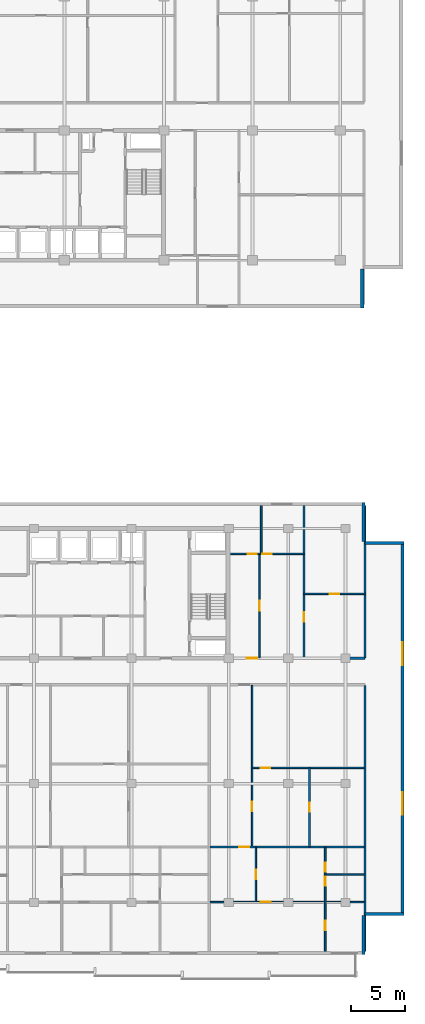
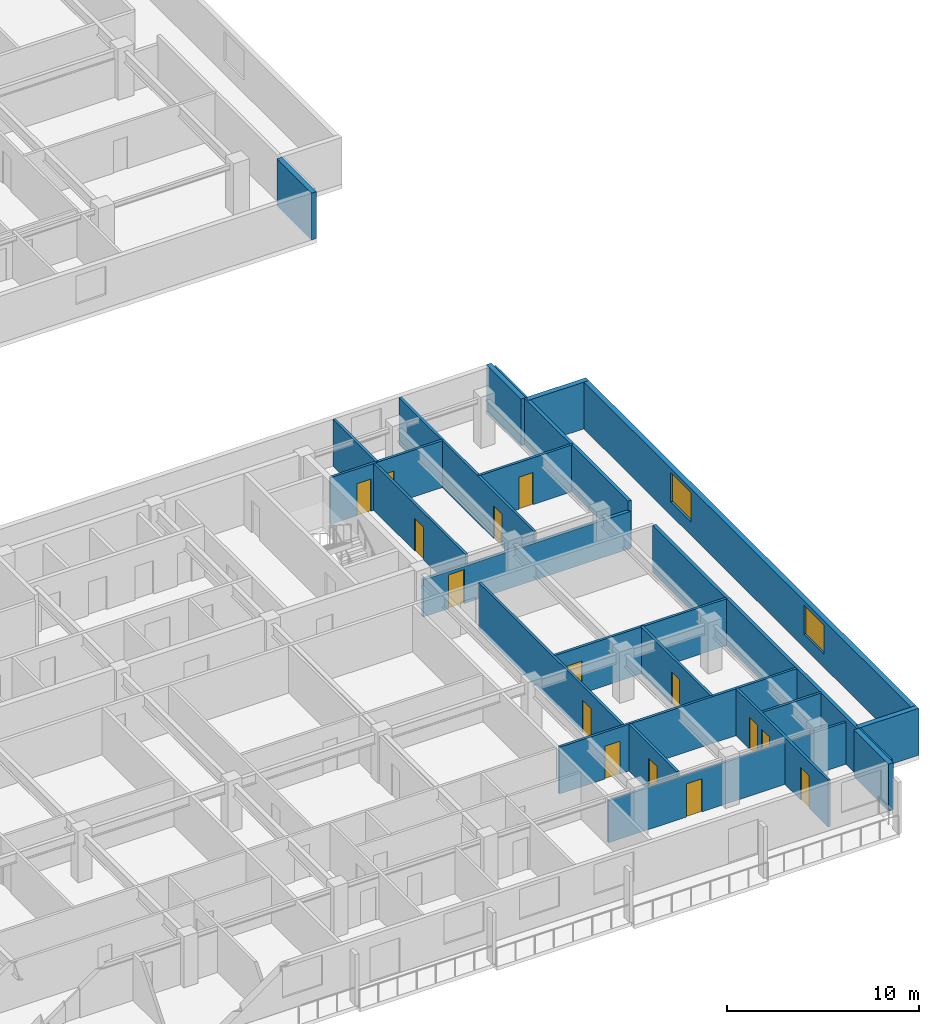
# One storey, part 10 of 22: 22 walls, 15 doors, 2 windows, 17 openings.
"""IFC4 building model written with IfcOpenShell, lengths in metres."""

from ifc_helpers import new_model, si_unit, direction, frame, frame_2d, origin, place, context, subcontext, project, spatial, rectangle, extrude, material, layer, layer_set, type_object, element, fill, save


model = new_model("IFC4")

# Units and contexts
model_context = context("Model", 3, precision=1e-05, world=origin(), true_north=direction((0.0, 1.0)))
body_context = subcontext(model_context, "Body", "Model", "MODEL_VIEW")
ifc_project = project(units=[si_unit("LENGTHUNIT", "METRE"), si_unit("AREAUNIT", "SQUARE_METRE"), si_unit("VOLUMEUNIT", "CUBIC_METRE"), si_unit("PLANEANGLEUNIT", "RADIAN"), si_unit("MASSUNIT", "GRAM", prefix="KILO")], contexts=[model_context])

# Site, building, storey
site_placement = place(None, origin())
site = spatial("IfcSite", under=ifc_project, at=site_placement, CompositionType="ELEMENT")
building_placement = place(site_placement, origin())
building = spatial("IfcBuilding", under=site, at=building_placement, Name="Korimba Cascade Residences", CompositionType="ELEMENT")
storey_placement = place(building_placement, frame((0.0, 0.0, 132.800048828125)))
storey = spatial("IfcBuildingStorey", under=building, at=storey_placement, Name="L38", CompositionType="ELEMENT", Elevation=132.800048828125)

# Walls
ifc_material_1 = material(Name="Precast concrete C40/50", Category="concrete")
ifc_layer_1 = layer(ifc_material_1, 0.300048828125)
ifc_layer_set_1 = layer_set([ifc_layer_1], Name="Precast concrete C40/50")
wall_type_1 = type_object("IfcWallType", Name="EW-STONE-300", PredefinedType="STANDARD", material=ifc_layer_set_1)
wall_1_placement = place(storey_placement, frame((130.449951171875, 50.800048828125, 0.0), z_axis=(0.0, 0.0, 1.0), x_axis=(0.0, 1.0, 0.0)))
element("IfcWall", 1, at=wall_1_placement, inside=storey, type_object=wall_type_1, Name="L38 T1 Perimeter Stone Wall E01", PredefinedType="STANDARD", context=body_context, shape_type="SweptSolid", body=[
    extrude(rectangle(XDim=3.599853515625, YDim=0.300048828125, at=frame_2d((1.7998046875, 0.0))), origin(), (0.0, 0.0, 1.0), 2.969970703125),
])
for number, where, z_axis, x_axis, name in (
    (2, (130.550048828125, -9.0, 0.0), (0.0, 0.0, 1.0), (0.0, 1.0, 0.0), "L38 T2 Perimeter Stone Wall E01"),
    (3, (130.699951171875, -5.25, 0.0), (0.0, 0.0, 1.0), (1.0, 0.0, 0.0), "L38 T2 Perimeter Stone Wall E02"),
):
    element("IfcWall", number, at=place(storey_placement, frame(where, z_axis=z_axis, x_axis=x_axis)), inside=storey, type_object=wall_type_1, Name=name, PredefinedType="STANDARD", context=body_context, shape_type="SweptSolid", body=[
        extrude(rectangle(XDim=3.60009765625, YDim=0.300048828125, at=frame_2d((1.800048828125, 0.0))), origin(), (0.0, 0.0, 1.0), 2.969970703125),
    ])

# Wall, openings, windows
wall_2_placement = place(storey_placement, frame((134.14990234375, -5.39990234375, 0.0), z_axis=(0.0, 0.0, 1.0), x_axis=(0.0, 1.0, 0.0)))
wall_2 = element("IfcWall", 4, at=wall_2_placement, inside=storey, type_object=wall_type_1, Name="L38 T2 Perimeter Stone Wall E03", PredefinedType="STANDARD", context=body_context, shape_type="SweptSolid", body=[
    extrude(rectangle(XDim=34.599853515625, YDim=0.300048828125, at=frame_2d((17.2998046875, 0.0))), origin(), (0.0, 0.0, 1.0), 2.969970703125),
])
opening_1_placement = place(wall_2_placement, frame((9.330078125, 0.0, 0.85009765625)))
opening_1 = element("IfcOpeningElement", 5, at=opening_1_placement, cuts=wall_2, Name="Opening W-03", PredefinedType="OPENING", context=body_context, shape_type="SweptSolid", body=[
    extrude(rectangle(XDim=2.10009765625, YDim=1.85009765625, at=frame_2d((1.050048828125, 0.925048828125))), frame((0.0, 0.16015625, 0.0), z_axis=(0.0, -1.0, 0.0), x_axis=(1.0, 0.0, 0.0)), (0.0, 0.0, 1.0), 0.320068359375),
])
opening_2_placement = place(wall_2_placement, frame((23.169921875, 0.0, 0.85009765625)))
opening_2 = element("IfcOpeningElement", 6, at=opening_2_placement, cuts=wall_2, Name="Opening W-03", PredefinedType="OPENING", context=body_context, shape_type="SweptSolid", body=[
    extrude(rectangle(XDim=2.10009765625, YDim=1.85009765625, at=frame_2d((1.050048828125, 0.925048828125))), frame((0.0, 0.16015625, 0.0), z_axis=(0.0, -1.0, 0.0), x_axis=(1.0, 0.0, 0.0)), (0.0, 0.0, 1.0), 0.320068359375),
])
ifc_material_2 = material(Name="Double-Glazed Aluminium Window", Category="aluminium")
window_type = type_object("IfcWindowType", Name="WIN-CRN-2100", PartitioningType="DOUBLE_PANEL_HORIZONTAL", PredefinedType="WINDOW", material=ifc_material_2)
window_1_placement = place(opening_1_placement, origin())
window_1 = element("IfcWindow", 7, at=window_1_placement, inside=storey, type_object=window_type, Name="L38 T2 End View Window 3.1", OverallHeight=1.85009765625, OverallWidth=2.10009765625, PartitioningType="DOUBLE_PANEL_HORIZONTAL", PredefinedType="WINDOW", context=body_context, shape_type="SweptSolid", body=[
    extrude(rectangle(XDim=2.10009765625, YDim=1.85009765625, at=frame_2d((1.050048828125, 0.925048828125))), frame((0.0, 0.030029296875, 0.0), z_axis=(0.0, -1.0, 0.0), x_axis=(1.0, 0.0, 0.0)), (0.0, 0.0, 1.0), 0.06005859375),
])
fill(opening_1, window_1)
window_2_placement = place(opening_2_placement, origin())
window_2 = element("IfcWindow", 8, at=window_2_placement, inside=storey, type_object=window_type, Name="L38 T2 End View Window 3.2", OverallHeight=1.85009765625, OverallWidth=2.10009765625, PartitioningType="DOUBLE_PANEL_HORIZONTAL", PredefinedType="WINDOW", context=body_context, shape_type="SweptSolid", body=[
    extrude(rectangle(XDim=2.10009765625, YDim=1.85009765625, at=frame_2d((1.050048828125, 0.925048828125))), frame((0.0, 0.030029296875, 0.0), z_axis=(0.0, -1.0, 0.0), x_axis=(1.0, 0.0, 0.0)), (0.0, 0.0, 1.0), 0.06005859375),
])
fill(opening_2, window_2)

# Walls
for number, where, z_axis, x_axis, name in (
    (9, (134.300048828125, 29.050048828125, 0.0), (0.0, 0.0, 1.0), (-1.0, 0.0, 0.0), "L38 T2 Perimeter Stone Wall E04"),
    (10, (130.550048828125, 29.199951171875, 0.0), (0.0, 0.0, 1.0), (0.0, 1.0, 0.0), "L38 T2 Perimeter Stone Wall E05"),
):
    element("IfcWall", number, at=place(storey_placement, frame(where, z_axis=z_axis, x_axis=x_axis)), inside=storey, type_object=wall_type_1, Name=name, PredefinedType="STANDARD", context=body_context, shape_type="SweptSolid", body=[
        extrude(rectangle(XDim=3.60009765625, YDim=0.300048828125, at=frame_2d((1.800048828125, 0.0))), origin(), (0.0, 0.0, 1.0), 2.969970703125),
    ])
ifc_layer_2 = layer(ifc_material_1, 0.199951171875)
ifc_layer_set_2 = layer_set([ifc_layer_2], Name="Precast concrete C40/50")
wall_type_2 = type_object("IfcWallType", Name="WAL-IT-200", PredefinedType="PARTITIONING", material=ifc_layer_set_2)
wall_3_placement = place(storey_placement, frame((130.699951171875, 18.39990234375, 0.0), z_axis=(0.0, 0.0, 1.0), x_axis=(0.0, 1.0, 0.0)))
element("IfcWall", 11, at=wall_3_placement, inside=storey, type_object=wall_type_2, Name="L38 Partition Wall WAL-L38-T2-FE-WR", PredefinedType="PARTITIONING", context=body_context, shape_type="SweptSolid", body=[
    extrude(rectangle(XDim=14.10009765625, YDim=0.199951171875, at=frame_2d((7.050048828125, 0.0))), origin(), (0.0, 0.0, 1.0), 2.969970703125),
])

# Wall, opening, door
wall_4_placement = place(storey_placement, frame((118.25, 18.39990234375, 0.0), z_axis=(0.0, 0.0, 1.0), x_axis=(1.0, 0.0, 0.0)))
wall_4 = element("IfcWall", 12, at=wall_4_placement, inside=storey, type_object=wall_type_2, Name="L38 Partition Wall WAL-L38-T2-FE-S", PredefinedType="PARTITIONING", context=body_context, shape_type="SweptSolid", body=[
    extrude(rectangle(XDim=12.449951171875, YDim=0.199951171875, at=frame_2d((6.22509765625, 0.0))), origin(), (0.0, 0.0, 1.0), 2.357666015625),
])
opening_3_placement = place(wall_4_placement, frame((1.510009765625, 0.0, 0.0)))
opening_3 = element("IfcOpeningElement", 13, at=opening_3_placement, cuts=wall_4, Name="Opening D-UN1", PredefinedType="OPENING", context=body_context, shape_type="SweptSolid", body=[
    extrude(rectangle(XDim=0.949951171875, YDim=2.14990234375, at=frame_2d((0.47509765625, 1.074951171875))), frame((0.0, 0.10986328125, 0.0), z_axis=(0.0, -1.0, 0.0), x_axis=(1.0, 0.0, 0.0)), (0.0, 0.0, 1.0), 0.219970703125),
])
ifc_material_3 = material(Name="Fire-Rated Hardwood Apartment Entrance Door", Category="wood")
door_type_1 = type_object("IfcDoorType", Name="DR-FD60-950", OperationType="NOTDEFINED", PredefinedType="DOOR", material=ifc_material_3)
door_1_placement = place(opening_3_placement, origin())
door_1 = element("IfcDoor", 14, at=door_1_placement, inside=storey, type_object=door_type_1, Name="L38-T2-FE Entrance Door", OperationType="SINGLE_SWING_LEFT", OverallHeight=2.14990234375, OverallWidth=0.949951171875, PredefinedType="DOOR", context=body_context, shape_type="SweptSolid", body=[
    extrude(rectangle(XDim=0.949951171875, YDim=2.14990234375, at=frame_2d((0.47509765625, 1.074951171875))), frame((0.0, 0.02490234375, 0.0), z_axis=(0.0, -1.0, 0.0), x_axis=(1.0, 0.0, 0.0)), (0.0, 0.0, 1.0), 0.050048828125),
])
fill(opening_3, door_1)

# Wall
wall_5_placement = place(storey_placement, frame((130.699951171875, -8.699951171875, 0.0), z_axis=(0.0, 0.0, 1.0), x_axis=(0.0, 1.0, 0.0)))
element("IfcWall", 15, at=wall_5_placement, inside=storey, type_object=wall_type_2, Name="L38 Partition Wall WAL-L38-T2-BNDWR", PredefinedType="PARTITIONING", context=body_context, shape_type="SweptSolid", body=[
    extrude(rectangle(XDim=24.570068359375, YDim=0.199951171875, at=frame_2d((12.28515625, 0.0))), origin(), (0.0, 0.0, 1.0), 2.969970703125),
])

# Wall, opening, door
ifc_material_4 = material(Name="Insulated Acoustic Stud Partition", Category="gypsum")
ifc_layer_3 = layer(ifc_material_4, 0.14990234375)
ifc_layer_set_3 = layer_set([ifc_layer_3], Name="Insulated Acoustic Stud Partition")
wall_type_3 = type_object("IfcWallType", Name="WAL-PART-150", PredefinedType="PARTITIONING", material=ifc_layer_set_3)
wall_6_placement = place(storey_placement, frame((125.050048828125, 24.35009765625, 0.0), z_axis=(0.0, 0.0, 1.0), x_axis=(1.0, 0.0, 0.0)))
wall_6 = element("IfcWall", 16, at=wall_6_placement, inside=storey, type_object=wall_type_3, Name="L38 Partition Wall WAL-L38-T2-FE-STH", PredefinedType="PARTITIONING", context=body_context, shape_type="SweptSolid", body=[
    extrude(rectangle(XDim=5.64990234375, YDim=0.14990234375, at=frame_2d((2.824951171875, 0.0))), origin(), (0.0, 0.0, 1.0), 2.969970703125),
])
opening_4_placement = place(wall_6_placement, frame((2.405029296875, 0.0, 0.0)))
opening_4 = element("IfcOpeningElement", 17, at=opening_4_placement, cuts=wall_6, Name="Opening D-BT1", PredefinedType="OPENING", context=body_context, shape_type="SweptSolid", body=[
    extrude(rectangle(XDim=0.840087890625, YDim=2.0400390625, at=frame_2d((0.419921875, 1.02001953125))), frame((0.0, 0.0849609375, 0.0), z_axis=(0.0, -1.0, 0.0), x_axis=(1.0, 0.0, 0.0)), (0.0, 0.0, 1.0), 0.169921875),
])
ifc_material_5 = material(Name="Moisture-Resistant Bathroom Timber Door", Category="wood")
door_type_2 = type_object("IfcDoorType", Name="DR-INT-850", OperationType="NOTDEFINED", PredefinedType="DOOR", material=ifc_material_5)
door_2_placement = place(opening_4_placement, origin())
door_2 = element("IfcDoor", 18, at=door_2_placement, inside=storey, type_object=door_type_2, Name="L38-T2-FE Dressing Store Door", OperationType="SINGLE_SWING_RIGHT", OverallHeight=2.0400390625, OverallWidth=0.840087890625, PredefinedType="DOOR", context=body_context, shape_type="SweptSolid", body=[
    extrude(rectangle(XDim=0.840087890625, YDim=2.0400390625, at=frame_2d((0.419921875, 1.02001953125))), frame((0.0, 0.02490234375, 0.0), z_axis=(0.0, -1.0, 0.0), x_axis=(1.0, 0.0, 0.0)), (0.0, 0.0, 1.0), 0.050048828125),
])
fill(opening_4, door_2)

wall_7_placement = place(storey_placement, frame((125.050048828125, 18.449951171875, 0.0), z_axis=(0.0, 0.0, 1.0), x_axis=(0.0, 1.0, 0.0)))
wall_7 = element("IfcWall", 19, at=wall_7_placement, inside=storey, type_object=wall_type_3, Name="L38 Partition Wall WAL-L38-T2-FE-STV", PredefinedType="PARTITIONING", context=body_context, shape_type="SweptSolid", body=[
    extrude(rectangle(XDim=14.050048828125, YDim=0.14990234375, at=frame_2d((7.02490234375, 0.0))), origin(), (0.0, 0.0, 1.0), 2.969970703125),
])
opening_5_placement = place(wall_7_placement, frame((3.320068359375, 0.0, 0.0)))
opening_5 = element("IfcOpeningElement", 20, at=opening_5_placement, cuts=wall_7, Name="Opening D-IN2", PredefinedType="OPENING", context=body_context, shape_type="SweptSolid", body=[
    extrude(rectangle(XDim=0.8798828125, YDim=2.06005859375, at=frame_2d((0.43994140625, 1.030029296875))), frame((0.0, 0.0849609375, 0.0), z_axis=(0.0, -1.0, 0.0), x_axis=(1.0, 0.0, 0.0)), (0.0, 0.0, 1.0), 0.169921875),
])
ifc_material_6 = material(Name="Acoustic Timber Bedroom Door", Category="wood")
door_type_3 = type_object("IfcDoorType", Name="DR-INT-880", OperationType="NOTDEFINED", PredefinedType="DOOR", material=ifc_material_6)
door_3_placement = place(opening_5_placement, origin())
door_3 = element("IfcDoor", 21, at=door_3_placement, inside=storey, type_object=door_type_3, Name="L38-T2-FE Study Door", OperationType="SINGLE_SWING_LEFT", OverallHeight=2.06005859375, OverallWidth=0.8798828125, PredefinedType="DOOR", context=body_context, shape_type="SweptSolid", body=[
    extrude(rectangle(XDim=0.8798828125, YDim=2.06005859375, at=frame_2d((0.43994140625, 1.030029296875))), frame((0.0, 0.02490234375, 0.0), z_axis=(0.0, -1.0, 0.0), x_axis=(1.0, 0.0, 0.0)), (0.0, 0.0, 1.0), 0.050048828125),
])
fill(opening_5, door_3)

wall_8_placement = place(storey_placement, frame((120.929931640625, 18.449951171875, 0.0), z_axis=(0.0, 0.0, 1.0), x_axis=(0.0, 1.0, 0.0)))
wall_8 = element("IfcWall", 22, at=wall_8_placement, inside=storey, type_object=wall_type_3, Name="L38 Partition Wall WAL-L38-T2-FE-VS", PredefinedType="PARTITIONING", context=body_context, shape_type="SweptSolid", body=[
    extrude(rectangle(XDim=9.60009765625, YDim=0.14990234375, at=frame_2d((4.800048828125, 0.0))), origin(), (0.0, 0.0, 1.0), 2.969970703125),
])
opening_6_placement = place(wall_8_placement, frame((4.340087890625, 0.0, 0.0)))
opening_6 = element("IfcOpeningElement", 23, at=opening_6_placement, cuts=wall_8, Name="Opening D-IN1", PredefinedType="OPENING", context=body_context, shape_type="SweptSolid", body=[
    extrude(rectangle(XDim=0.919921875, YDim=2.080078125, at=frame_2d((0.4599609375, 1.0400390625))), frame((0.0, 0.0849609375, 0.0), z_axis=(0.0, -1.0, 0.0), x_axis=(1.0, 0.0, 0.0)), (0.0, 0.0, 1.0), 0.169921875),
])
ifc_material_7 = material(Name="Acoustic Timber Living Door", Category="wood")
door_type_4 = type_object("IfcDoorType", Name="DR-INT-920", OperationType="NOTDEFINED", PredefinedType="DOOR", material=ifc_material_7)
door_4_placement = place(opening_6_placement, origin())
door_4 = element("IfcDoor", 24, at=door_4_placement, inside=storey, type_object=door_type_4, Name="L38-T2-FE Living Door", OperationType="SINGLE_SWING_RIGHT", OverallHeight=2.080078125, OverallWidth=0.919921875, PredefinedType="DOOR", context=body_context, shape_type="SweptSolid", body=[
    extrude(rectangle(XDim=0.919921875, YDim=2.080078125, at=frame_2d((0.4599609375, 1.0400390625))), frame((0.0, 0.02490234375, 0.0), z_axis=(0.0, -1.0, 0.0), x_axis=(1.0, 0.0, 0.0)), (0.0, 0.0, 1.0), 0.050048828125),
])
fill(opening_6, door_4)

# Wall
wall_9_placement = place(storey_placement, frame((121.10009765625, 28.050048828125, 0.0), z_axis=(0.0, 0.0, 1.0), x_axis=(0.0, 1.0, 0.0)))
element("IfcWall", 25, at=wall_9_placement, inside=storey, type_object=wall_type_3, Name="L38 Partition Wall WAL-L38-T2-FE-VN", PredefinedType="PARTITIONING", context=body_context, shape_type="SweptSolid", body=[
    extrude(rectangle(XDim=4.449951171875, YDim=0.14990234375, at=frame_2d((2.22509765625, 0.0))), origin(), (0.0, 0.0, 1.0), 2.969970703125),
])

# Wall, openings, doors
wall_10_placement = place(storey_placement, frame((118.27001953125, 28.050048828125, 0.0), z_axis=(0.0, 0.0, 1.0), x_axis=(1.0, 0.0, 0.0)))
wall_10 = element("IfcWall", 26, at=wall_10_placement, inside=storey, type_object=wall_type_3, Name="L38 Partition Wall WAL-L38-T2-FE-H", PredefinedType="PARTITIONING", context=body_context, shape_type="SweptSolid", body=[
    extrude(rectangle(XDim=6.760009765625, YDim=0.14990234375, at=frame_2d((3.3798828125, 0.0))), origin(), (0.0, 0.0, 1.0), 2.969970703125),
])
opening_7_placement = place(wall_10_placement, frame((1.58740234375, 0.0, 0.0)))
opening_7 = element("IfcOpeningElement", 27, at=opening_7_placement, cuts=wall_10, Name="Opening D-BT1", PredefinedType="OPENING", context=body_context, shape_type="SweptSolid", body=[
    extrude(rectangle(XDim=0.840087890625, YDim=2.0400390625, at=frame_2d((0.419921875, 1.02001953125))), frame((0.0, 0.0849609375, 0.0), z_axis=(0.0, -1.0, 0.0), x_axis=(1.0, 0.0, 0.0)), (0.0, 0.0, 1.0), 0.169921875),
])
opening_8_placement = place(wall_10_placement, frame((2.93994140625, 0.0, 0.0)))
opening_8 = element("IfcOpeningElement", 28, at=opening_8_placement, cuts=wall_10, Name="Opening D-IN2", PredefinedType="OPENING", context=body_context, shape_type="SweptSolid", body=[
    extrude(rectangle(XDim=0.8798828125, YDim=2.06005859375, at=frame_2d((0.43994140625, 1.030029296875))), frame((0.0, 0.0849609375, 0.0), z_axis=(0.0, -1.0, 0.0), x_axis=(1.0, 0.0, 0.0)), (0.0, 0.0, 1.0), 0.169921875),
])
door_5_placement = place(opening_7_placement, origin())
door_5 = element("IfcDoor", 29, at=door_5_placement, inside=storey, type_object=door_type_2, Name="L38-T2-FE Bathroom Door", OperationType="SINGLE_SWING_LEFT", OverallHeight=2.0400390625, OverallWidth=0.840087890625, PredefinedType="DOOR", context=body_context, shape_type="SweptSolid", body=[
    extrude(rectangle(XDim=0.840087890625, YDim=2.0400390625, at=frame_2d((0.419921875, 1.02001953125))), frame((0.0, 0.02490234375, 0.0), z_axis=(0.0, -1.0, 0.0), x_axis=(1.0, 0.0, 0.0)), (0.0, 0.0, 1.0), 0.050048828125),
])
fill(opening_7, door_5)
door_6_placement = place(opening_8_placement, origin())
door_6 = element("IfcDoor", 30, at=door_6_placement, inside=storey, type_object=door_type_3, Name="L38-T2-FE Bedroom Door", OperationType="SINGLE_SWING_RIGHT", OverallHeight=2.06005859375, OverallWidth=0.8798828125, PredefinedType="DOOR", context=body_context, shape_type="SweptSolid", body=[
    extrude(rectangle(XDim=0.8798828125, YDim=2.06005859375, at=frame_2d((0.43994140625, 1.030029296875))), frame((0.0, 0.02490234375, 0.0), z_axis=(0.0, -1.0, 0.0), x_axis=(1.0, 0.0, 0.0)), (0.0, 0.0, 1.0), 0.050048828125),
])
fill(opening_8, door_6)

# Wall, opening, door
wall_11_placement = place(storey_placement, frame((125.568115234375, 0.989990234375, 0.0), z_axis=(0.0, 0.0, 1.0), x_axis=(0.0, 1.0, 0.0)))
wall_11 = element("IfcWall", 31, at=wall_11_placement, inside=storey, type_object=wall_type_3, Name="L38 Partition Wall WAL-L38-T2-U03-FMV", PredefinedType="PARTITIONING", context=body_context, shape_type="SweptSolid", body=[
    extrude(rectangle(XDim=7.27001953125, YDim=0.14990234375, at=frame_2d((3.635009765625, 0.0))), origin(), (0.0, 0.0, 1.0), 2.969970703125),
])
opening_9_placement = place(wall_11_placement, frame((3.215087890625, 0.0, 0.0)))
opening_9 = element("IfcOpeningElement", 32, at=opening_9_placement, cuts=wall_11, Name="Opening D-BT1", PredefinedType="OPENING", context=body_context, shape_type="SweptSolid", body=[
    extrude(rectangle(XDim=0.840087890625, YDim=2.0400390625, at=frame_2d((0.419921875, 1.02001953125))), frame((0.0, 0.0849609375, 0.0), z_axis=(0.0, -1.0, 0.0), x_axis=(1.0, 0.0, 0.0)), (0.0, 0.0, 1.0), 0.169921875),
])
door_7_placement = place(opening_9_placement, origin())
door_7 = element("IfcDoor", 33, at=door_7_placement, inside=storey, type_object=door_type_2, Name="L38-T2-U03 Wardrobe Door", OperationType="SINGLE_SWING_LEFT", OverallHeight=2.0400390625, OverallWidth=0.840087890625, PredefinedType="DOOR", context=body_context, shape_type="SweptSolid", body=[
    extrude(rectangle(XDim=0.840087890625, YDim=2.0400390625, at=frame_2d((0.419921875, 1.02001953125))), frame((0.0, 0.02490234375, 0.0), z_axis=(0.0, -1.0, 0.0), x_axis=(1.0, 0.0, 0.0)), (0.0, 0.0, 1.0), 0.050048828125),
])
fill(opening_9, door_7)

wall_12_placement = place(storey_placement, frame((120.31640625, 8.260009765625, 0.0), z_axis=(0.0, 0.0, 1.0), x_axis=(1.0, 0.0, 0.0)))
wall_12 = element("IfcWall", 34, at=wall_12_placement, inside=storey, type_object=wall_type_3, Name="L38 Partition Wall WAL-L38-T2-U03-FMH", PredefinedType="PARTITIONING", context=body_context, shape_type="SweptSolid", body=[
    extrude(rectangle(XDim=10.3037109375, YDim=0.14990234375, at=frame_2d((5.15185546875, 0.0))), origin(), (0.0, 0.0, 1.0), 2.969970703125),
])
opening_10_placement = place(wall_12_placement, frame((0.730224609375, 0.0, 0.0)))
opening_10 = element("IfcOpeningElement", 35, at=opening_10_placement, cuts=wall_12, Name="Opening D-IN2", PredefinedType="OPENING", context=body_context, shape_type="SweptSolid", body=[
    extrude(rectangle(XDim=0.8798828125, YDim=2.06005859375, at=frame_2d((0.43994140625, 1.030029296875))), frame((0.0, 0.0849609375, 0.0), z_axis=(0.0, -1.0, 0.0), x_axis=(1.0, 0.0, 0.0)), (0.0, 0.0, 1.0), 0.169921875),
])
door_8_placement = place(opening_10_placement, origin())
door_8 = element("IfcDoor", 36, at=door_8_placement, inside=storey, type_object=door_type_3, Name="L38-T2-U03 Library Salon Door", OperationType="SINGLE_SWING_RIGHT", OverallHeight=2.06005859375, OverallWidth=0.8798828125, PredefinedType="DOOR", context=body_context, shape_type="SweptSolid", body=[
    extrude(rectangle(XDim=0.8798828125, YDim=2.06005859375, at=frame_2d((0.43994140625, 1.030029296875))), frame((0.0, 0.02490234375, 0.0), z_axis=(0.0, -1.0, 0.0), x_axis=(1.0, 0.0, 0.0)), (0.0, 0.0, 1.0), 0.050048828125),
])
fill(opening_10, door_8)

wall_13_placement = place(storey_placement, frame((120.25634765625, 0.989990234375, 0.0), z_axis=(0.0, 0.0, 1.0), x_axis=(0.0, 1.0, 0.0)))
wall_13 = element("IfcWall", 37, at=wall_13_placement, inside=storey, type_object=wall_type_3, Name="L38 Partition Wall WAL-L38-T2-U03-FV", PredefinedType="PARTITIONING", context=body_context, shape_type="SweptSolid", body=[
    extrude(rectangle(XDim=14.89990234375, YDim=0.14990234375, at=frame_2d((7.449951171875, 0.0))), origin(), (0.0, 0.0, 1.0), 2.969970703125),
])
opening_11_placement = place(wall_13_placement, frame((3.2451171875, 0.0, 0.0)))
opening_11 = element("IfcOpeningElement", 38, at=opening_11_placement, cuts=wall_13, Name="Opening D-IN2", PredefinedType="OPENING", context=body_context, shape_type="SweptSolid", body=[
    extrude(rectangle(XDim=0.8798828125, YDim=2.06005859375, at=frame_2d((0.43994140625, 1.030029296875))), frame((0.0, 0.0849609375, 0.0), z_axis=(0.0, -1.0, 0.0), x_axis=(1.0, 0.0, 0.0)), (0.0, 0.0, 1.0), 0.169921875),
])
door_9_placement = place(opening_11_placement, origin())
door_9 = element("IfcDoor", 39, at=door_9_placement, inside=storey, type_object=door_type_3, Name="L38-T2-U03 Media Lounge Door", OperationType="SINGLE_SWING_LEFT", OverallHeight=2.06005859375, OverallWidth=0.8798828125, PredefinedType="DOOR", context=body_context, shape_type="SweptSolid", body=[
    extrude(rectangle(XDim=0.8798828125, YDim=2.06005859375, at=frame_2d((0.43994140625, 1.030029296875))), frame((0.0, 0.02490234375, 0.0), z_axis=(0.0, -1.0, 0.0), x_axis=(1.0, 0.0, 0.0)), (0.0, 0.0, 1.0), 0.050048828125),
])
fill(opening_11, door_9)

wall_14_placement = place(storey_placement, frame((120.606201171875, -4.090087890625, 0.0), z_axis=(0.0, 0.0, 1.0), x_axis=(0.0, 1.0, 0.0)))
wall_14 = element("IfcWall", 40, at=wall_14_placement, inside=storey, type_object=wall_type_3, Name="L38 Partition Wall WAL-L38-T2-U03-VDIN", PredefinedType="PARTITIONING", context=body_context, shape_type="SweptSolid", body=[
    extrude(rectangle(XDim=5.0, YDim=0.14990234375, at=frame_2d((2.5, 0.0))), origin(), (0.0, 0.0, 1.0), 2.969970703125),
])
opening_12_placement = place(wall_14_placement, frame((2.06005859375, 0.0, 0.0)))
opening_12 = element("IfcOpeningElement", 41, at=opening_12_placement, cuts=wall_14, Name="Opening D-IN2", PredefinedType="OPENING", context=body_context, shape_type="SweptSolid", body=[
    extrude(rectangle(XDim=0.8798828125, YDim=2.06005859375, at=frame_2d((0.43994140625, 1.030029296875))), frame((0.0, 0.0849609375, 0.0), z_axis=(0.0, -1.0, 0.0), x_axis=(1.0, 0.0, 0.0)), (0.0, 0.0, 1.0), 0.169921875),
])
door_10_placement = place(opening_12_placement, origin())
door_10 = element("IfcDoor", 42, at=door_10_placement, inside=storey, type_object=door_type_3, Name="L38-T2-U03 Dining Room Door", OperationType="SINGLE_SWING_RIGHT", OverallHeight=2.06005859375, OverallWidth=0.8798828125, PredefinedType="DOOR", context=body_context, shape_type="SweptSolid", body=[
    extrude(rectangle(XDim=0.8798828125, YDim=2.06005859375, at=frame_2d((0.43994140625, 1.030029296875))), frame((0.0, 0.02490234375, 0.0), z_axis=(0.0, -1.0, 0.0), x_axis=(1.0, 0.0, 0.0)), (0.0, 0.0, 1.0), 0.050048828125),
])
fill(opening_12, door_10)

# Wall
wall_15_placement = place(storey_placement, frame((127.080078125, -1.590087890625, 0.0), z_axis=(0.0, 0.0, 1.0), x_axis=(1.0, 0.0, 0.0)))
element("IfcWall", 43, at=wall_15_placement, inside=storey, type_object=wall_type_3, Name="L38 Partition Wall WAL-L38-T2-U03-BLDIV", PredefinedType="PARTITIONING", context=body_context, shape_type="SweptSolid", body=[
    extrude(rectangle(XDim=3.5400390625, YDim=0.14990234375, at=frame_2d((1.77001953125, 0.0))), origin(), (0.0, 0.0, 1.0), 2.969970703125),
])

# Wall, openings, doors
wall_16_placement = place(storey_placement, frame((127.02001953125, -8.699951171875, 0.0), z_axis=(0.0, 0.0, 1.0), x_axis=(0.0, 1.0, 0.0)))
wall_16 = element("IfcWall", 44, at=wall_16_placement, inside=storey, type_object=wall_type_3, Name="L38 Partition Wall WAL-L38-T2-U03-V1", PredefinedType="PARTITIONING", context=body_context, shape_type="SweptSolid", body=[
    extrude(rectangle(XDim=9.60986328125, YDim=0.14990234375, at=frame_2d((4.804931640625, 0.0))), origin(), (0.0, 0.0, 1.0), 2.969970703125),
])
opening_13_placement = place(wall_16_placement, frame((6.065185546875, 0.0, 0.0)))
opening_13 = element("IfcOpeningElement", 45, at=opening_13_placement, cuts=wall_16, Name="Opening D-BT1", PredefinedType="OPENING", context=body_context, shape_type="SweptSolid", body=[
    extrude(rectangle(XDim=0.840087890625, YDim=2.0400390625, at=frame_2d((0.419921875, 1.02001953125))), frame((0.0, 0.0849609375, 0.0), z_axis=(0.0, -1.0, 0.0), x_axis=(1.0, 0.0, 0.0)), (0.0, 0.0, 1.0), 0.169921875),
])
opening_14_placement = place(wall_16_placement, frame((7.339599609375, 0.0, 0.0)))
opening_14 = element("IfcOpeningElement", 46, at=opening_14_placement, cuts=wall_16, Name="Opening D-BT1", PredefinedType="OPENING", context=body_context, shape_type="SweptSolid", body=[
    extrude(rectangle(XDim=0.840087890625, YDim=2.0400390625, at=frame_2d((0.419921875, 1.02001953125))), frame((0.0, 0.0849609375, 0.0), z_axis=(0.0, -1.0, 0.0), x_axis=(1.0, 0.0, 0.0)), (0.0, 0.0, 1.0), 0.169921875),
])
opening_15_placement = place(wall_16_placement, frame((1.97119140625, 0.0, 0.0)))
opening_15 = element("IfcOpeningElement", 47, at=opening_15_placement, cuts=wall_16, Name="Opening D-IN2", PredefinedType="OPENING", context=body_context, shape_type="SweptSolid", body=[
    extrude(rectangle(XDim=0.8798828125, YDim=2.06005859375, at=frame_2d((0.43994140625, 1.030029296875))), frame((0.0, 0.0849609375, 0.0), z_axis=(0.0, -1.0, 0.0), x_axis=(1.0, 0.0, 0.0)), (0.0, 0.0, 1.0), 0.169921875),
])
door_11_placement = place(opening_13_placement, origin())
door_11 = element("IfcDoor", 48, at=door_11_placement, inside=storey, type_object=door_type_2, Name="L38-T2-U03 Bathroom Door", OperationType="SINGLE_SWING_LEFT", OverallHeight=2.0400390625, OverallWidth=0.840087890625, PredefinedType="DOOR", context=body_context, shape_type="SweptSolid", body=[
    extrude(rectangle(XDim=0.840087890625, YDim=2.0400390625, at=frame_2d((0.419921875, 1.02001953125))), frame((0.0, 0.02490234375, 0.0), z_axis=(0.0, -1.0, 0.0), x_axis=(1.0, 0.0, 0.0)), (0.0, 0.0, 1.0), 0.050048828125),
])
fill(opening_13, door_11)
door_12_placement = place(opening_14_placement, origin())
door_12 = element("IfcDoor", 49, at=door_12_placement, inside=storey, type_object=door_type_2, Name="L38-T2-U03 Laundry Door", OperationType="SINGLE_SWING_RIGHT", OverallHeight=2.0400390625, OverallWidth=0.840087890625, PredefinedType="DOOR", context=body_context, shape_type="SweptSolid", body=[
    extrude(rectangle(XDim=0.840087890625, YDim=2.0400390625, at=frame_2d((0.419921875, 1.02001953125))), frame((0.0, 0.02490234375, 0.0), z_axis=(0.0, -1.0, 0.0), x_axis=(1.0, 0.0, 0.0)), (0.0, 0.0, 1.0), 0.050048828125),
])
fill(opening_14, door_12)
door_13_placement = place(opening_15_placement, origin())
door_13 = element("IfcDoor", 50, at=door_13_placement, inside=storey, type_object=door_type_3, Name="L38-T2-U03 Bedroom 1 Door", OperationType="SINGLE_SWING_LEFT", OverallHeight=2.06005859375, OverallWidth=0.8798828125, PredefinedType="DOOR", context=body_context, shape_type="SweptSolid", body=[
    extrude(rectangle(XDim=0.8798828125, YDim=2.06005859375, at=frame_2d((0.43994140625, 1.030029296875))), frame((0.0, 0.02490234375, 0.0), z_axis=(0.0, -1.0, 0.0), x_axis=(1.0, 0.0, 0.0)), (0.0, 0.0, 1.0), 0.050048828125),
])
fill(opening_15, door_13)

# Wall, opening, door
wall_17_placement = place(storey_placement, frame((116.3662109375, 0.949951171875, 0.0), z_axis=(0.0, 0.0, 1.0), x_axis=(1.0, 0.0, 0.0)))
wall_17 = element("IfcWall", 51, at=wall_17_placement, inside=storey, type_object=wall_type_3, Name="L38 Partition Wall WAL-L38-T2-U03-MW", PredefinedType="PARTITIONING", context=body_context, shape_type="SweptSolid", body=[
    extrude(rectangle(XDim=14.25390625, YDim=0.14990234375, at=frame_2d((7.126953125, 0.0))), origin(), (0.0, 0.0, 1.0), 2.969970703125),
])
opening_16_placement = place(wall_17_placement, frame((2.719970703125, 0.0, 0.0)))
opening_16 = element("IfcOpeningElement", 52, at=opening_16_placement, cuts=wall_17, Name="Opening D-IN1", PredefinedType="OPENING", context=body_context, shape_type="SweptSolid", body=[
    extrude(rectangle(XDim=0.919921875, YDim=2.080078125, at=frame_2d((0.4599609375, 1.0400390625))), frame((0.0, 0.0849609375, 0.0), z_axis=(0.0, -1.0, 0.0), x_axis=(1.0, 0.0, 0.0)), (0.0, 0.0, 1.0), 0.169921875),
])
door_14_placement = place(opening_16_placement, origin())
door_14 = element("IfcDoor", 53, at=door_14_placement, inside=storey, type_object=door_type_4, Name="L38-T2-U03 Kitchen Archway Door", OperationType="SINGLE_SWING_RIGHT", OverallHeight=2.080078125, OverallWidth=0.919921875, PredefinedType="DOOR", context=body_context, shape_type="SweptSolid", body=[
    extrude(rectangle(XDim=0.919921875, YDim=2.080078125, at=frame_2d((0.4599609375, 1.0400390625))), frame((0.0, 0.02490234375, 0.0), z_axis=(0.0, -1.0, 0.0), x_axis=(1.0, 0.0, 0.0)), (0.0, 0.0, 1.0), 0.050048828125),
])
fill(opening_16, door_14)

wall_18_placement = place(storey_placement, frame((116.3662109375, -4.14990234375, 0.0), z_axis=(0.0, 0.0, 1.0), x_axis=(1.0, 0.0, 0.0)))
wall_18 = element("IfcWall", 54, at=wall_18_placement, inside=storey, type_object=wall_type_3, Name="L38 Partition Wall WAL-L38-T2-U03-HZ", PredefinedType="PARTITIONING", context=body_context, shape_type="SweptSolid", body=[
    extrude(rectangle(XDim=14.25390625, YDim=0.14990234375, at=frame_2d((7.126953125, 0.0))), origin(), (0.0, 0.0, 1.0), 2.663330078125),
])
opening_17_placement = place(wall_18_placement, frame((4.672607421875, 0.0, 0.0)))
opening_17 = element("IfcOpeningElement", 55, at=opening_17_placement, cuts=wall_18, Name="Opening D-IN0", PredefinedType="OPENING", context=body_context, shape_type="SweptSolid", body=[
    extrude(rectangle(XDim=0.93994140625, YDim=2.10009765625, at=frame_2d((0.469970703125, 1.050048828125))), frame((0.0, 0.0849609375, 0.0), z_axis=(0.0, -1.0, 0.0), x_axis=(1.0, 0.0, 0.0)), (0.0, 0.0, 1.0), 0.169921875),
])
ifc_material_8 = material(Name="Acoustic Timber Living Archway Door", Category="wood")
door_type_5 = type_object("IfcDoorType", Name="DR-INT-950", OperationType="NOTDEFINED", PredefinedType="DOOR", material=ifc_material_8)
door_15_placement = place(opening_17_placement, origin())
door_15 = element("IfcDoor", 56, at=door_15_placement, inside=storey, type_object=door_type_5, Name="L38-T2-U03 Living Archway Door", OperationType="SINGLE_SWING_LEFT", OverallHeight=2.10009765625, OverallWidth=0.93994140625, PredefinedType="DOOR", context=body_context, shape_type="SweptSolid", body=[
    extrude(rectangle(XDim=0.93994140625, YDim=2.10009765625, at=frame_2d((0.469970703125, 1.050048828125))), frame((0.0, 0.02490234375, 0.0), z_axis=(0.0, -1.0, 0.0), x_axis=(1.0, 0.0, 0.0)), (0.0, 0.0, 1.0), 0.050048828125),
])
fill(opening_17, door_15)

save(model, "model.ifc")
